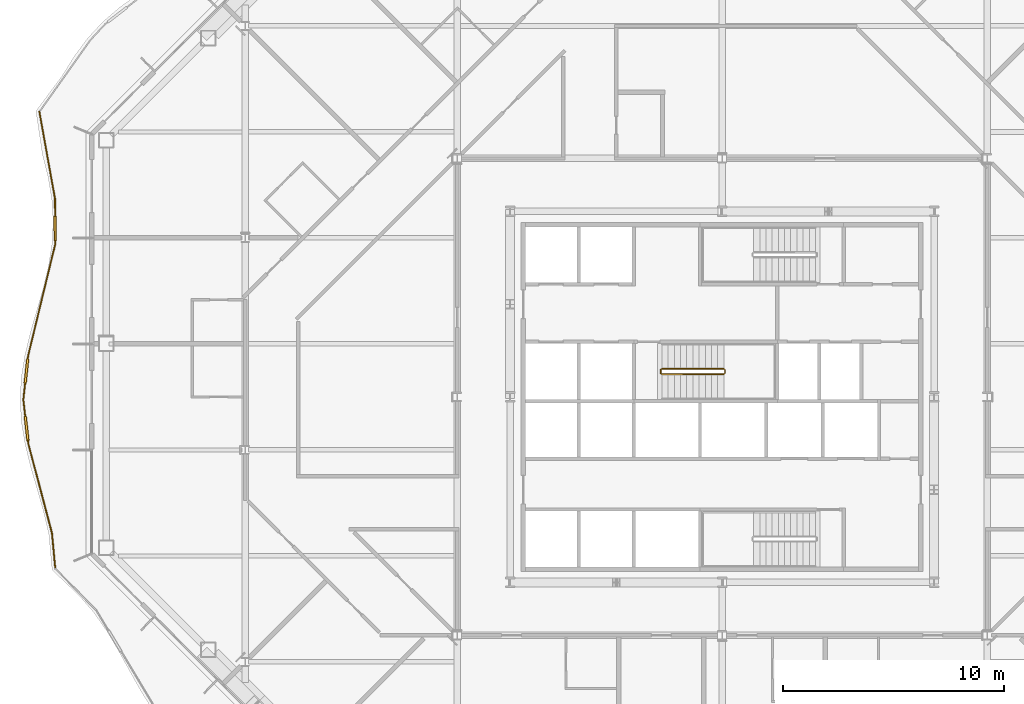
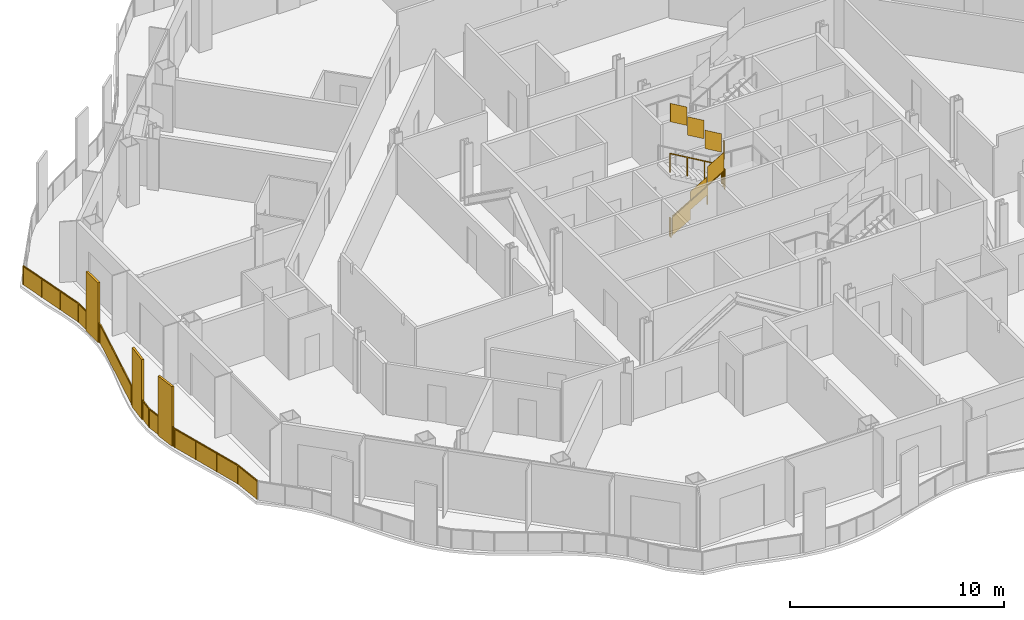
# One storey, part 16 of 21: 3 railings.
"""IFC4 building model written with IfcOpenShell, lengths in metres."""

from ifc_helpers import new_model, si_unit, direction, frame, origin, origin_2d, place, context, subcontext, project, spatial, polyline, rectangle, outline, extrude, material, type_object, element, save


model = new_model("IFC4")

# Units and contexts
model_context = context("Model", 3, precision=1e-05, world=origin(), true_north=direction((0.0, 1.0)))
body_context = subcontext(model_context, "Body", "Model", "MODEL_VIEW")
ifc_project = project(units=[si_unit("LENGTHUNIT", "METRE"), si_unit("AREAUNIT", "SQUARE_METRE"), si_unit("VOLUMEUNIT", "CUBIC_METRE"), si_unit("PLANEANGLEUNIT", "RADIAN"), si_unit("MASSUNIT", "GRAM", prefix="KILO")], contexts=[model_context])

# Site, building, storey
site_placement = place(None, origin())
site = spatial("IfcSite", under=ifc_project, at=site_placement, CompositionType="ELEMENT")
building_placement = place(site_placement, origin())
building = spatial("IfcBuilding", under=site, at=building_placement, Name="Cairn Pilgrim Tower", CompositionType="ELEMENT")
storey_placement = place(building_placement, frame((0.0, 0.0, 129.0)))
storey = spatial("IfcBuildingStorey", under=building, at=storey_placement, Name="L31", CompositionType="ELEMENT", Elevation=129.0)

# Railings
ifc_material_1 = material(Name="Bronze anodised aluminium rail, posts and fin screens with laminated glass infill", Category="aluminium")
railing_type_1 = type_object("IfcRailingType", Name="BALCONY GUARD WITH FIN SCREENS", PredefinedType="GUARDRAIL", material=ifc_material_1)
railing_1_placement = place(storey_placement, frame((-23.722412109375, 15.3095703125, 0.0)))
element("IfcRailing", 1, at=railing_1_placement, inside=storey, type_object=railing_type_1, Name="Balcony guard BGF-7 with fin screens", PredefinedType="GUARDRAIL", context=body_context, shape_type="SweptSolid", body=[
    extrude(rectangle(XDim=0.050048828125, YDim=0.050048828125, at=origin_2d()), frame((0.0, 0.0, 1.0751953125), z_axis=(0.17706528771, -0.984199107848, 0.0), x_axis=(0.984199107848, 0.17706528771, 0.0)), (0.0, 0.0, 1.0), 3.990234375),
    extrude(rectangle(XDim=1.10009765625, YDim=0.110107421875, at=origin_2d()), frame((0.71630859375, -5.279541015625, 0.0), z_axis=(0.0, 0.0, 1.0), x_axis=(0.007136727964, -0.999974533233, 0.0)), (0.0, 0.0, 1.0), 3.39990234375),
    extrude(rectangle(XDim=0.050048828125, YDim=0.050048828125, at=origin_2d()), frame((0.70654296875, -3.92724609375, 1.0751953125), z_axis=(0.007136727964, -0.999974533233, 0.0), x_axis=(0.999974533233, 0.007136727964, 0.0)), (0.0, 0.0, 1.0), 0.80224609375),
    extrude(rectangle(XDim=0.050048828125, YDim=0.050048828125, at=origin_2d()), frame((0.72021484375, -5.82958984375, 1.0751953125), z_axis=(0.007136727964, -0.999974533233, 0.0), x_axis=(0.999974533233, 0.007136727964, 0.0)), (0.0, 0.0, 1.0), 0.150146484375),
    extrude(rectangle(XDim=0.050048828125, YDim=0.050048828125, at=origin_2d()), frame((0.72119140625, -5.979736328125, 1.0751953125), z_axis=(-0.236332442086, -0.971672257923, 0.0), x_axis=(0.971672257923, -0.236332442086, 0.0)), (0.0, 0.0, 1.0), 5.20849609375),
    extrude(rectangle(XDim=1.10009765625, YDim=0.110107421875, at=origin_2d()), frame((-0.58544921875, -11.736572265625, 0.0), z_axis=(0.0, 0.0, 1.0), x_axis=(-0.108040882298, -0.994146451863, 0.0)), (0.0, 0.0, 1.0), 3.39990234375),
    extrude(rectangle(XDim=0.050048828125, YDim=0.050048828125, at=origin_2d()), frame((-0.509765625, -11.040771484375, 1.0751953125), z_axis=(-0.108040882298, -0.994146451863, 0.0), x_axis=(0.994146451863, -0.108040882298, 0.0)), (0.0, 0.0, 1.0), 0.14990234375),
    extrude(rectangle(XDim=0.050048828125, YDim=0.050048828125, at=origin_2d()), frame((-0.644775390625, -12.283447265625, 1.0751953125), z_axis=(-0.108040882298, -0.994146451863, 0.0), x_axis=(0.994146451863, -0.108040882298, 0.0)), (0.0, 0.0, 1.0), 0.7568359375),
    extrude(rectangle(XDim=1.10009765625, YDim=0.110107421875, at=origin_2d()), frame((-0.580078125, -14.33349609375, 0.0), z_axis=(0.0, 0.0, 1.0), x_axis=(0.112194312548, -0.993686286628, 0.0)), (0.0, 0.0, 1.0), 3.39990234375),
    extrude(rectangle(XDim=0.050048828125, YDim=0.050048828125, at=origin_2d()), frame((-0.7265625, -13.03564453125, 1.0751953125), z_axis=(0.112194312548, -0.993686286628, 0.0), x_axis=(0.993686286628, 0.112194312548, 0.0)), (0.0, 0.0, 1.0), 0.756103515625),
    extrude(rectangle(XDim=0.050048828125, YDim=0.050048828125, at=origin_2d()), frame((-0.518310546875, -14.880126953125, 1.0751953125), z_axis=(0.112194312548, -0.993686286628, 0.0), x_axis=(0.993686286628, 0.112194312548, 0.0)), (0.0, 0.0, 1.0), 0.150146484375),
    extrude(rectangle(XDim=0.050048828125, YDim=0.050048828125, at=origin_2d()), frame((-0.50146484375, -15.029296875, 1.0751953125), z_axis=(0.255725699793, -0.966749381414, 0.0), x_axis=(0.966749381414, 0.255725699793, 0.0)), (0.0, 0.0, 1.0), 4.1826171875),
    extrude(rectangle(XDim=0.050048828125, YDim=0.050048828125, at=origin_2d()), frame((0.568115234375, -19.07275390625, 1.0751953125), z_axis=(0.093729131849, -0.995597734953, 0.0), x_axis=(0.995597734953, 0.093729131849, 0.0)), (0.0, 0.0, 1.0), 1.5576171875),
    extrude(rectangle(XDim=0.050048828125, YDim=0.050048828125, at=origin_2d()), origin(), (0.0, 0.0, 1.0), 1.050048828125),
    extrude(rectangle(XDim=0.050048828125, YDim=0.050048828125, at=origin_2d()), frame((0.235595703125, -1.30908203125, 0.0)), (0.0, 0.0, 1.0), 1.050048828125),
    extrude(rectangle(XDim=0.050048828125, YDim=0.050048828125, at=origin_2d()), frame((0.470947265625, -2.6181640625, 0.0)), (0.0, 0.0, 1.0), 1.050048828125),
    extrude(rectangle(XDim=0.050048828125, YDim=0.050048828125, at=origin_2d()), frame((0.70654296875, -3.92724609375, 0.0)), (0.0, 0.0, 1.0), 1.050048828125),
    extrude(rectangle(XDim=0.050048828125, YDim=0.050048828125, at=origin_2d()), frame((0.712158203125, -4.70458984375, 0.0)), (0.0, 0.0, 1.0), 1.050048828125),
    extrude(rectangle(XDim=0.050048828125, YDim=0.050048828125, at=origin_2d()), frame((0.72021484375, -5.8544921875, 0.0)), (0.0, 0.0, 1.0), 1.050048828125),
    extrude(rectangle(XDim=0.050048828125, YDim=0.050048828125, at=origin_2d()), frame((0.72119140625, -5.979736328125, 0.0)), (0.0, 0.0, 1.0), 1.050048828125),
    extrude(rectangle(XDim=0.050048828125, YDim=0.050048828125, at=origin_2d()), frame((0.310791015625, -7.666748046875, 0.0)), (0.0, 0.0, 1.0), 1.050048828125),
    extrude(rectangle(XDim=0.050048828125, YDim=0.050048828125, at=origin_2d()), frame((-0.099365234375, -9.353759765625, 0.0)), (0.0, 0.0, 1.0), 1.050048828125),
    extrude(rectangle(XDim=0.050048828125, YDim=0.050048828125, at=origin_2d()), frame((-0.509765625, -11.040771484375, 0.0)), (0.0, 0.0, 1.0), 1.050048828125),
    extrude(rectangle(XDim=0.050048828125, YDim=0.050048828125, at=origin_2d()), frame((-0.523193359375, -11.164794921875, 0.0)), (0.0, 0.0, 1.0), 1.050048828125),
    extrude(rectangle(XDim=0.050048828125, YDim=0.050048828125, at=origin_2d()), frame((-0.6474609375, -12.30810546875, 0.0)), (0.0, 0.0, 1.0), 1.050048828125),
    extrude(rectangle(XDim=0.050048828125, YDim=0.050048828125, at=origin_2d()), frame((-0.7265625, -13.03564453125, 0.0)), (0.0, 0.0, 1.0), 1.050048828125),
    extrude(rectangle(XDim=0.050048828125, YDim=0.050048828125, at=origin_2d()), frame((-0.64453125, -13.76220703125, 0.0)), (0.0, 0.0, 1.0), 1.050048828125),
    extrude(rectangle(XDim=0.050048828125, YDim=0.050048828125, at=origin_2d()), frame((-0.515625, -14.905029296875, 0.0)), (0.0, 0.0, 1.0), 1.050048828125),
    extrude(rectangle(XDim=0.050048828125, YDim=0.050048828125, at=origin_2d()), frame((-0.50146484375, -15.029296875, 0.0)), (0.0, 0.0, 1.0), 1.050048828125),
    extrude(rectangle(XDim=0.050048828125, YDim=0.050048828125, at=origin_2d()), frame((-0.14501953125, -16.377197265625, 0.0)), (0.0, 0.0, 1.0), 1.050048828125),
    extrude(rectangle(XDim=0.050048828125, YDim=0.050048828125, at=origin_2d()), frame((0.211669921875, -17.724853515625, 0.0)), (0.0, 0.0, 1.0), 1.050048828125),
    extrude(rectangle(XDim=0.050048828125, YDim=0.050048828125, at=origin_2d()), frame((0.568115234375, -19.07275390625, 0.0)), (0.0, 0.0, 1.0), 1.050048828125),
    extrude(rectangle(XDim=0.050048828125, YDim=0.050048828125, at=origin_2d()), frame((0.714111328125, -20.62353515625, 0.0)), (0.0, 0.0, 1.0), 1.050048828125),
    extrude(outline(polyline([(0.02490234375, 0.0), (1.30517578125, 0.0), (1.30517578125, 1.050048828125), (0.02490234375, 1.050048828125), (0.02490234375, 0.0)])), frame((0.005859375, 0.0009765625, 0.0), z_axis=(-0.984199107848, -0.17706528771, 0.0), x_axis=(0.17706528771, -0.984199107848, 0.0)), (0.0, 0.0, 1.0), 0.011962890625),
    extrude(outline(polyline([(0.02490234375, 0.0), (1.30517578125, 0.0), (1.30517578125, 1.050048828125), (0.02490234375, 1.050048828125), (0.02490234375, 0.0)])), frame((0.241455078125, -1.30810546875, 0.0), z_axis=(-0.984199107848, -0.17706528771, 0.0), x_axis=(0.17706528771, -0.984199107848, 0.0)), (0.0, 0.0, 1.0), 0.011962890625),
    extrude(outline(polyline([(0.02490234375, 0.0), (1.30517578125, 0.0), (1.30517578125, 1.050048828125), (0.02490234375, 1.050048828125), (0.02490234375, 0.0)])), frame((0.476806640625, -2.6171875, 0.0), z_axis=(-0.984199107848, -0.17706528771, 0.0), x_axis=(0.17706528771, -0.984199107848, 0.0)), (0.0, 0.0, 1.0), 0.011962890625),
    extrude(outline(polyline([(0.02490234375, 0.0), (0.752197265625, 0.0), (0.752197265625, 1.050048828125), (0.02490234375, 1.050048828125), (0.02490234375, 0.0)])), frame((0.71240234375, -3.92724609375, 0.0), z_axis=(-0.999974533233, -0.007136727964, 0.0), x_axis=(0.007136727964, -0.999974533233, 0.0)), (0.0, 0.0, 1.0), 0.011962890625),
    extrude(outline(polyline([(0.02490234375, 0.0), (0.10009765625, 0.0), (0.10009765625, 1.050048828125), (0.02490234375, 1.050048828125), (0.02490234375, 0.0)])), frame((0.726318359375, -5.8544921875, 0.0), z_axis=(-0.999974533233, -0.007136727964, 0.0), x_axis=(0.007136727964, -0.999974533233, 0.0)), (0.0, 0.0, 1.0), 0.011962890625),
    extrude(outline(polyline([(0.02490234375, 0.0), (1.711181640625, 0.0), (1.711181640625, 1.050048828125), (0.02490234375, 1.050048828125), (0.02490234375, 0.0)])), frame((0.72705078125, -5.981201171875, 0.0), z_axis=(-0.971672257923, 0.236332442086, 0.0), x_axis=(-0.236332442086, -0.971672257923, 0.0)), (0.0, 0.0, 1.0), 0.011962890625),
    extrude(outline(polyline([(0.02490234375, 0.0), (1.711181640625, 0.0), (1.711181640625, 1.050048828125), (0.02490234375, 1.050048828125), (0.02490234375, 0.0)])), frame((0.316650390625, -7.668212890625, 0.0), z_axis=(-0.971672257923, 0.236332442086, 0.0), x_axis=(-0.236332442086, -0.971672257923, 0.0)), (0.0, 0.0, 1.0), 0.011962890625),
    extrude(outline(polyline([(0.02490234375, 0.0), (1.711181640625, 0.0), (1.711181640625, 1.050048828125), (0.02490234375, 1.050048828125), (0.02490234375, 0.0)])), frame((-0.09375, -9.355224609375, 0.0), z_axis=(-0.971672257923, 0.236332442086, 0.0), x_axis=(-0.236332442086, -0.971672257923, 0.0)), (0.0, 0.0, 1.0), 0.011962890625),
    extrude(outline(polyline([(0.02490234375, 0.0), (0.099853515625, 0.0), (0.099853515625, 1.050048828125), (0.02490234375, 1.050048828125), (0.02490234375, 0.0)])), frame((-0.50390625, -11.04150390625, 0.0), z_axis=(-0.994146451863, 0.108040882298, 0.0), x_axis=(-0.108040882298, -0.994146451863, 0.0)), (0.0, 0.0, 1.0), 0.011962890625),
    extrude(outline(polyline([(0.02490234375, 0.0), (0.706787109375, 0.0), (0.706787109375, 1.050048828125), (0.02490234375, 1.050048828125), (0.02490234375, 0.0)])), frame((-0.6416015625, -12.308837890625, 0.0), z_axis=(-0.994146451863, 0.108040882298, 0.0), x_axis=(-0.108040882298, -0.994146451863, 0.0)), (0.0, 0.0, 1.0), 0.011962890625),
    extrude(outline(polyline([(0.02490234375, 0.0), (0.7060546875, 0.0), (0.7060546875, 1.050048828125), (0.02490234375, 1.050048828125), (0.02490234375, 0.0)])), frame((-0.720703125, -13.034912109375, 0.0), z_axis=(-0.993686286628, -0.112194312548, 0.0), x_axis=(0.112194312548, -0.993686286628, 0.0)), (0.0, 0.0, 1.0), 0.011962890625),
    extrude(outline(polyline([(0.02490234375, 0.0), (0.10009765625, 0.0), (0.10009765625, 1.050048828125), (0.02490234375, 1.050048828125), (0.02490234375, 0.0)])), frame((-0.509521484375, -14.904296875, 0.0), z_axis=(-0.993686286628, -0.112194312548, 0.0), x_axis=(0.112194312548, -0.993686286628, 0.0)), (0.0, 0.0, 1.0), 0.011962890625),
    extrude(outline(polyline([(0.02490234375, 0.0), (1.369140625, 0.0), (1.369140625, 1.050048828125), (0.02490234375, 1.050048828125), (0.02490234375, 0.0)])), frame((-0.49560546875, -15.02783203125, 0.0), z_axis=(-0.966749381414, -0.255725699793, 0.0), x_axis=(0.255725699793, -0.966749381414, 0.0)), (0.0, 0.0, 1.0), 0.011962890625),
    extrude(outline(polyline([(0.02490234375, 0.0), (1.369140625, 0.0), (1.369140625, 1.050048828125), (0.02490234375, 1.050048828125), (0.02490234375, 0.0)])), frame((-0.13916015625, -16.37548828125, 0.0), z_axis=(-0.966749381414, -0.255725699793, 0.0), x_axis=(0.255725699793, -0.966749381414, 0.0)), (0.0, 0.0, 1.0), 0.011962890625),
    extrude(outline(polyline([(0.02490234375, 0.0), (1.369140625, 0.0), (1.369140625, 1.050048828125), (0.02490234375, 1.050048828125), (0.02490234375, 0.0)])), frame((0.21728515625, -17.723388671875, 0.0), z_axis=(-0.966749381414, -0.255725699793, 0.0), x_axis=(0.255725699793, -0.966749381414, 0.0)), (0.0, 0.0, 1.0), 0.011962890625),
    extrude(outline(polyline([(0.02490234375, 0.0), (1.53271484375, 0.0), (1.53271484375, 1.050048828125), (0.02490234375, 1.050048828125), (0.02490234375, 0.0)])), frame((0.573974609375, -19.072265625, 0.0), z_axis=(-0.995597734953, -0.093729131849, 0.0), x_axis=(0.093729131849, -0.995597734953, 0.0)), (0.0, 0.0, 1.0), 0.011962890625),
])
ifc_material_2 = material(Name="Painted steel", Category="steel")
railing_type_2 = type_object("IfcRailingType", Name="STAIR GUARD 1100", PredefinedType="GUARDRAIL", material=ifc_material_2)
railing_2_placement = place(storey_placement, frame((4.47509765625, 3.425048828125, 0.16357421875)))
element("IfcRailing", 2, at=railing_2_placement, inside=storey, type_object=railing_type_2, Name="L31 ST-B stair guard 1", PredefinedType="GUARDRAIL", context=body_context, shape_type="SweptSolid", body=[
    extrude(rectangle(XDim=0.048095703125, YDim=0.048095703125, at=origin_2d()), frame((0.0, 0.0, 1.076171875), z_axis=(0.863341702679, 0.0, 0.504619762213), x_axis=(0.0, 1.0, 0.0)), (0.0, 0.0, 1.0), 3.242919921875),
    extrude(rectangle(XDim=0.048095703125, YDim=0.048095703125, at=origin_2d()), frame((2.7998046875, 0.0, 2.71240234375), z_axis=(0.707106781187, 0.707106781187, 0.0), x_axis=(-0.707106781187, 0.707106781187, 0.0)), (0.0, 0.0, 1.0), 0.07080078125),
    extrude(rectangle(XDim=0.048095703125, YDim=0.048095703125, at=origin_2d()), frame((2.849853515625, 0.050048828125, 2.71240234375), z_axis=(0.0, 1.0, 0.0), x_axis=(-1.0, 0.0, 0.0)), (0.0, 0.0, 1.0), 0.14990234375),
    extrude(rectangle(XDim=0.048095703125, YDim=0.048095703125, at=origin_2d()), frame((2.849853515625, 0.199951171875, 2.71240234375), z_axis=(-0.280808744504, 0.280808744504, 0.917765164963), x_axis=(-0.707106781187, -0.707106781187, 0.0)), (0.0, 0.0, 1.0), 0.17822265625),
    extrude(rectangle(XDim=0.048095703125, YDim=0.048095703125, at=origin_2d()), frame((2.7998046875, 0.25, 2.8759765625), z_axis=(-0.863341702679, 0.0, 0.504619762213), x_axis=(0.0, -1.0, 0.0)), (0.0, 0.0, 1.0), 3.242919921875),
    extrude(rectangle(XDim=0.0419921875, YDim=0.0419921875, at=origin_2d()), origin(), (0.0, 0.0, 1.0), 1.052001953125),
    extrude(rectangle(XDim=0.0419921875, YDim=0.0419921875, at=origin_2d()), frame((0.933349609375, 0.0, 0.54541015625)), (0.0, 0.0, 1.0), 1.052001953125),
    extrude(rectangle(XDim=0.0419921875, YDim=0.0419921875, at=origin_2d()), frame((1.866455078125, 0.0, 1.091064453125)), (0.0, 0.0, 1.0), 1.052001953125),
    extrude(rectangle(XDim=0.0419921875, YDim=0.0419921875, at=origin_2d()), frame((2.7998046875, 0.0, 1.636474609375)), (0.0, 0.0, 1.0), 1.052001953125),
    extrude(rectangle(XDim=0.0419921875, YDim=0.0419921875, at=origin_2d()), frame((2.849853515625, 0.050048828125, 1.636474609375)), (0.0, 0.0, 1.0), 1.052001953125),
    extrude(rectangle(XDim=0.0419921875, YDim=0.0419921875, at=origin_2d()), frame((2.849853515625, 0.199951171875, 1.636474609375)), (0.0, 0.0, 1.0), 1.052001953125),
    extrude(rectangle(XDim=0.0419921875, YDim=0.0419921875, at=origin_2d()), frame((2.7998046875, 0.25, 1.800048828125)), (0.0, 0.0, 1.0), 1.052001953125),
    extrude(rectangle(XDim=0.0419921875, YDim=0.0419921875, at=origin_2d()), frame((1.866455078125, 0.25, 2.345458984375)), (0.0, 0.0, 1.0), 1.052001953125),
    extrude(rectangle(XDim=0.0419921875, YDim=0.0419921875, at=origin_2d()), frame((0.933349609375, 0.25, 2.89111328125)), (0.0, 0.0, 1.0), 1.052001953125),
    extrude(rectangle(XDim=0.0419921875, YDim=0.0419921875, at=origin_2d()), frame((0.0, 0.25, 3.4365234375)), (0.0, 0.0, 1.0), 1.052001953125),
    extrude(outline(polyline([(0.02099609375, 0.01220703125), (0.912353515625, 0.533203125), (0.912353515625, 1.585205078125), (0.02099609375, 1.064208984375), (0.02099609375, 0.01220703125)])), frame((0.0, 0.005859375, 0.0), z_axis=(0.0, -1.0, 0.0), x_axis=(1.0, 0.0, 0.0)), (0.0, 0.0, 1.0), 0.011962890625),
    extrude(outline(polyline([(0.02099609375, 0.557861328125), (0.912353515625, 1.07861328125), (0.912353515625, 2.130615234375), (0.02099609375, 1.60986328125), (0.02099609375, 0.557861328125)])), frame((0.933349609375, 0.005859375, 0.54541015625), z_axis=(0.0, -1.0, 0.0), x_axis=(1.0, 0.0, 0.0)), (0.0, 0.0, 1.0), 0.011962890625),
    extrude(outline(polyline([(0.02099609375, 1.103271484375), (0.912353515625, 1.624267578125), (0.912353515625, 2.67626953125), (0.02099609375, 2.1552734375), (0.02099609375, 1.103271484375)])), frame((1.866455078125, 0.005859375, 1.091064453125), z_axis=(0.0, -1.0, 0.0), x_axis=(1.0, 0.0, 0.0)), (0.0, 0.0, 1.0), 0.011962890625),
    extrude(outline(polyline([(0.02099609375, 1.636474609375), (0.12890625, 1.636474609375), (0.12890625, 2.6884765625), (0.02099609375, 2.6884765625), (0.02099609375, 1.636474609375)])), frame((2.84375, 0.050048828125, 1.636474609375), z_axis=(1.0, 0.0, 0.0), x_axis=(0.0, 1.0, 0.0)), (0.0, 0.0, 1.0), 0.011962890625),
    extrude(outline(polyline([(0.02099609375, 1.812255859375), (0.912353515625, 2.333251953125), (0.912353515625, 3.38525390625), (0.02099609375, 2.8642578125), (0.02099609375, 1.812255859375)])), frame((2.7998046875, 0.244140625, 1.800048828125), z_axis=(0.0, 1.0, 0.0), x_axis=(-1.0, 0.0, 0.0)), (0.0, 0.0, 1.0), 0.011962890625),
    extrude(outline(polyline([(0.02099609375, 2.35791015625), (0.912353515625, 2.878662109375), (0.912353515625, 3.9306640625), (0.02099609375, 3.409912109375), (0.02099609375, 2.35791015625)])), frame((1.866455078125, 0.244140625, 2.345458984375), z_axis=(0.0, 1.0, 0.0), x_axis=(-1.0, 0.0, 0.0)), (0.0, 0.0, 1.0), 0.011962890625),
    extrude(outline(polyline([(0.02099609375, 2.9033203125), (0.912353515625, 3.42431640625), (0.912353515625, 4.476318359375), (0.02099609375, 3.955322265625), (0.02099609375, 2.9033203125)])), frame((0.933349609375, 0.244140625, 2.89111328125), z_axis=(0.0, 1.0, 0.0), x_axis=(-1.0, 0.0, 0.0)), (0.0, 0.0, 1.0), 0.011962890625),
])
railing_3_placement = place(storey_placement, frame((4.425048828125, 3.47509765625, 0.0)))
element("IfcRailing", 3, at=railing_3_placement, inside=storey, type_object=railing_type_2, Name="L31 ST-B stair guard 2", PredefinedType="GUARDRAIL", context=body_context, shape_type="SweptSolid", body=[
    extrude(rectangle(XDim=0.048095703125, YDim=0.048095703125, at=origin_2d()), frame((0.0, 0.0, 1.076171875), z_axis=(0.0, 1.0, 0.0), x_axis=(-1.0, 0.0, 0.0)), (0.0, 0.0, 1.0), 0.14990234375),
    extrude(rectangle(XDim=0.0419921875, YDim=0.0419921875, at=origin_2d()), origin(), (0.0, 0.0, 1.0), 1.052001953125),
    extrude(rectangle(XDim=0.0419921875, YDim=0.0419921875, at=origin_2d()), frame((0.0, 0.14990234375, 0.0)), (0.0, 0.0, 1.0), 1.052001953125),
    extrude(outline(polyline([(0.02099609375, 0.0), (0.12890625, 0.0), (0.12890625, 1.052001953125), (0.02099609375, 1.052001953125), (0.02099609375, 0.0)])), frame((-0.005859375, 0.0, 0.0), z_axis=(1.0, 0.0, 0.0), x_axis=(0.0, 1.0, 0.0)), (0.0, 0.0, 1.0), 0.011962890625),
])

save(model, "model.ifc")
